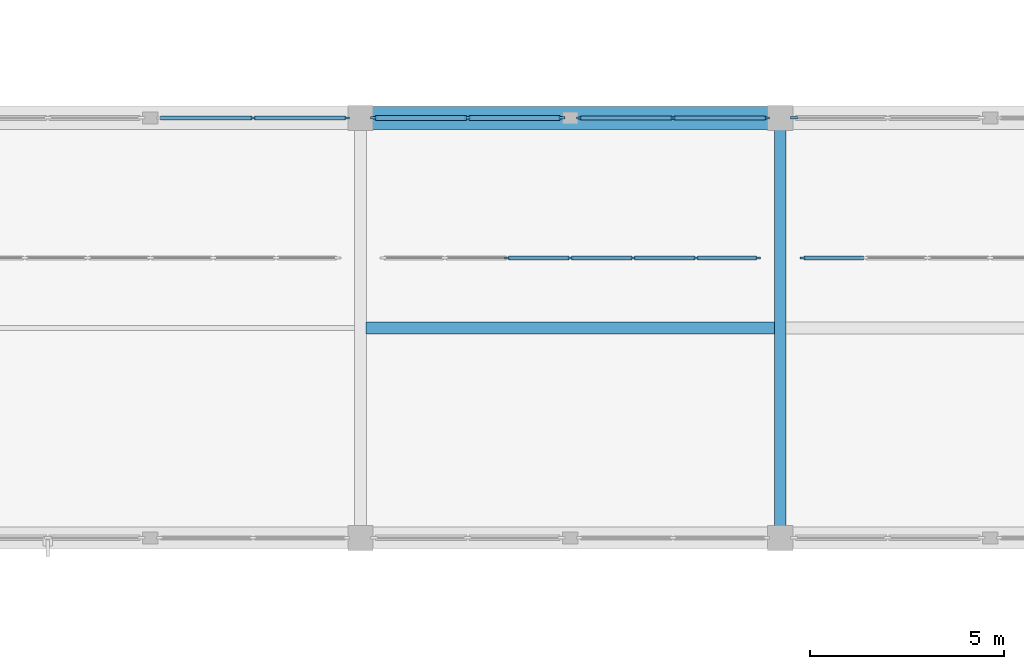
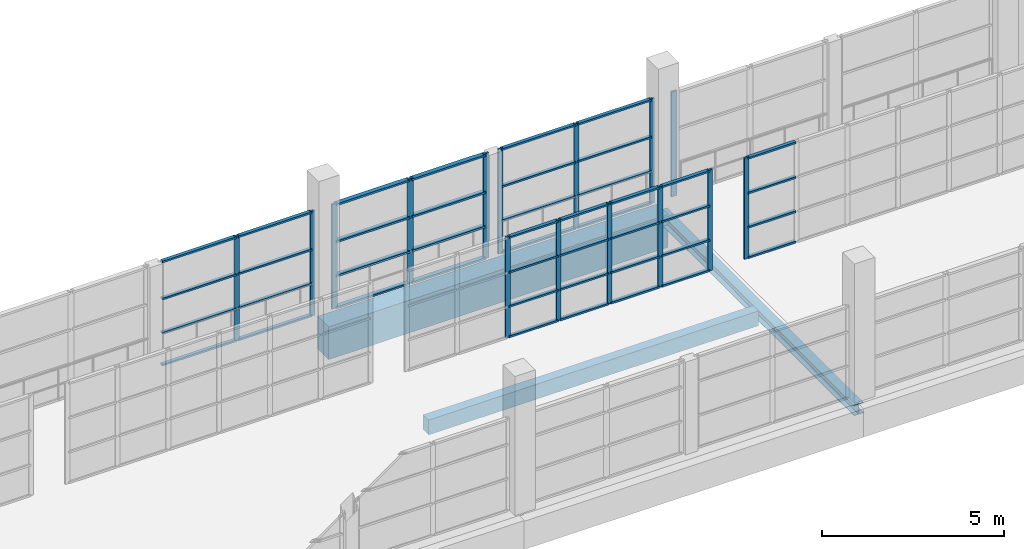
# One storey, part 28 of 142: 59 members, 3 beams, 6 elements without a shape of their own.
"""IFC4 building model written with IfcOpenShell, lengths in metres."""

import ifcopenshell
import ifcopenshell.guid

model = None  # the IFC model being written
_history = None  # IfcOwnerHistory: only IFC2X3 demands one
_inside = {}  # id of a spatial element -> (the spatial element, [elements in it])
_under = {}  # id of a project, library or spatial element -> (it, [spatial elements below it])
_declared = {}  # id of a project -> (the project, [libraries it declares])
_typed = {}  # id of a type object -> (the type object, [elements of that type])
_made_of = {}  # id of a material, layer set ... -> (it, [elements and type objects made of it])


def new_model(schema):
    """Start an empty IFC model of exactly this schema.

    Asked for "IFC4X3", IfcOpenShell would pick the latest addendum, in which some entities
    have other attributes; the version numbers below select the first issue.
    IFC2X3 requires an IfcOwnerHistory on every rooted entity: one is made here for all.
    """
    global model, _history
    if schema == "IFC4X3":
        model = ifcopenshell.file(schema_version=(4, 3, 0, 0))
    else:
        model = ifcopenshell.file(schema=schema)
    _inside.clear()
    _under.clear()
    _declared.clear()
    _typed.clear()
    _made_of.clear()
    _history = None
    if model.schema == "IFC2X3":
        org = make("IfcOrganization", Name="unknown")
        user = make(
            "IfcPersonAndOrganization",
            ThePerson=make("IfcPerson", FamilyName="unknown"),
            TheOrganization=org,
        )
        app = make(
            "IfcApplication",
            ApplicationDeveloper=org,
            Version="unknown",
            ApplicationFullName="unknown",
            ApplicationIdentifier="unknown",
        )
        _history = make(
            "IfcOwnerHistory",
            OwningUser=user,
            OwningApplication=app,
            ChangeAction="ADDED",
            CreationDate=0,
        )
    return model


def make(cls, **values):
    """One entity of the class cls with the attributes given. An attribute that is None is left unset."""
    return model.create_entity(
        cls, **{name: value for name, value in values.items() if value is not None}
    )


def rooted(cls, **values):
    """An entity with a GlobalId (a new one), such as an element, a storey or a relation."""
    return make(cls, GlobalId=ifcopenshell.guid.new(), OwnerHistory=_history, **values)


def si_unit(unit_type, name, prefix=None):
    """IfcSIUnit, for example si_unit("LENGTHUNIT", "METRE", prefix="MILLI")."""
    return make("IfcSIUnit", UnitType=unit_type, Prefix=prefix, Name=name)


def assignment(units):
    """IfcUnitAssignment: the units of a project."""
    return None if units is None else make("IfcUnitAssignment", Units=units)


def point(xyz):
    """IfcCartesianPoint."""
    return None if xyz is None else make("IfcCartesianPoint", Coordinates=xyz)


def direction(xyz):
    """IfcDirection."""
    return None if xyz is None else make("IfcDirection", DirectionRatios=xyz)


def frame(location, z_axis=None, x_axis=None):
    """IfcAxis2Placement3D, a coordinate frame: its origin and axes. An axis left out is left unset."""
    return make(
        "IfcAxis2Placement3D",
        Location=point(location),
        Axis=direction(z_axis),
        RefDirection=direction(x_axis),
    )


def frame_2d(location, x_axis=None):
    """IfcAxis2Placement2D, a coordinate frame in the plane: its origin and x axis."""
    return make(
        "IfcAxis2Placement2D", Location=point(location), RefDirection=direction(x_axis)
    )


def origin():
    """The frame at (0, 0, 0) with its axes left unset."""
    return frame((0.0, 0.0, 0.0))


def origin_2d():
    """The frame at (0, 0) in the plane with its x axis left unset."""
    return frame_2d((0.0, 0.0))


def place(relative_to, where):
    """IfcLocalPlacement: puts the frame where relative to a parent placement (None: the world)."""
    return make(
        "IfcLocalPlacement", PlacementRelTo=relative_to, RelativePlacement=where
    )


def context(
    kind, dimensions, precision=None, world=None, true_north=None, identifier=None
):
    """IfcGeometricRepresentationContext, for example the 3D "Model" context."""
    return make(
        "IfcGeometricRepresentationContext",
        ContextIdentifier=identifier,
        ContextType=kind,
        CoordinateSpaceDimension=dimensions,
        Precision=precision,
        WorldCoordinateSystem=world,
        TrueNorth=true_north,
    )


def subcontext(parent, identifier, kind, view, scale=None):
    """IfcGeometricRepresentationSubContext, for example "Body" below "Model"."""
    return make(
        "IfcGeometricRepresentationSubContext",
        ContextIdentifier=identifier,
        ContextType=kind,
        ParentContext=parent,
        TargetScale=scale,
        TargetView=view,
    )


def project(units=None, contexts=None):
    """IfcProject with its units and contexts."""
    return rooted(
        "IfcProject",
        Name="project",
        RepresentationContexts=contexts,
        UnitsInContext=assignment(units),
    )


def spatial(cls, under=None, at=None, **own):
    """A site, building, storey or space (cls), placed at a placement, below another one or the project."""
    s = rooted(cls, ObjectPlacement=at, **own)
    if under is not None:
        _under.setdefault(under.id(), (under, []))[1].append(s)
    return s


def profile(cls, at=None, kind="AREA", **sizes):
    """A parametric profile (cls). Its sizes go by their IFC names, for example OverallWidth=200.0."""
    return make(cls, ProfileType=kind, Position=at, **sizes)


def rectangle(**sizes):
    """IfcRectangleProfileDef."""
    return profile("IfcRectangleProfileDef", **sizes)


def i_section(**sizes):
    """IfcIShapeProfileDef."""
    return profile("IfcIShapeProfileDef", **sizes)


def extrude(swept, where, along, depth):
    """IfcExtrudedAreaSolid: the profile swept, set in the frame where, extruded along a direction by depth."""
    return make(
        "IfcExtrudedAreaSolid",
        SweptArea=swept,
        Position=where,
        ExtrudedDirection=direction(along),
        Depth=depth,
    )


def shape(context_of_items, identifier, shape_type, items):
    """IfcShapeRepresentation: the items that make up one representation, for example the "Body"."""
    return make(
        "IfcShapeRepresentation",
        ContextOfItems=context_of_items,
        RepresentationIdentifier=identifier,
        RepresentationType=shape_type,
        Items=items,
    )


def material(Name=None, Category=None):
    """IfcMaterial."""
    return make("IfcMaterial", Name=Name, Category=Category)


def material_profile(
    of_material, cross_section, Name=None, Category=None, Priority=None
):
    """IfcMaterialProfile: a cross section and its material."""
    return make(
        "IfcMaterialProfile",
        Name=Name,
        Material=of_material,
        Profile=cross_section,
        Priority=Priority,
        Category=Category,
    )


def profile_set(profiles, Name=None, composite=None):
    """IfcMaterialProfileSet."""
    return make(
        "IfcMaterialProfileSet",
        Name=Name,
        MaterialProfiles=profiles,
        CompositeProfile=composite,
    )


def made_of(thing, what):
    """Note that an element or type object is made of a material, layer set ...; save() writes the relation."""
    if what is not None:
        _made_of.setdefault(what.id(), (what, []))[1].append(thing)
    return thing


def type_object(cls, material=None, **own):
    """A type object (cls), such as IfcWallType, which elements share."""
    return made_of(rooted(cls, **own), material)


def element(
    cls,
    number,
    at=None,
    inside=None,
    cuts=None,
    type_object=None,
    material=None,
    context=None,
    identifier="Body",
    shape_type=None,
    held_by="IfcProductDefinitionShape",
    body=None,
    shapes=None,
    **own,
):
    """One element of the class cls, such as IfcWall. Its Tag is "e" and its number.

    at: its placement. inside: the storey or other place that contains it. cuts: it is an
    opening in that element (IfcRelVoidsElement). A single representation is given by context,
    identifier, shape_type and body (its items); several are given by shapes. held_by: the class
    of the entity that holds the representations. save() writes the other relations.
    """
    e = rooted(cls, Tag="e%d" % number, ObjectPlacement=at, **own)
    if body is not None:
        shapes = [shape(context, identifier, shape_type, body)]
    if shapes is not None:
        e.Representation = make(held_by, Representations=shapes)
    if inside is not None:
        _inside.setdefault(inside.id(), (inside, []))[1].append(e)
    if cuts is not None:
        rooted(
            "IfcRelVoidsElement", RelatingBuildingElement=cuts, RelatedOpeningElement=e
        )
    if type_object is not None:
        _typed.setdefault(type_object.id(), (type_object, []))[1].append(e)
    return made_of(e, material)


def aggregate(whole, parts):
    """IfcRelAggregates: a whole, such as a stair, and the parts it consists of."""
    return rooted("IfcRelAggregates", RelatingObject=whole, RelatedObjects=parts)


def save(model, path):
    """Write the relations noted so far, then the file.

    IfcRelAggregates (storeys below a building ...), IfcRelContainedInSpatialStructure (elements
    in a storey), IfcRelDefinesByType, IfcRelAssociatesMaterial and IfcRelDeclares: one each for
    every whole, place, type object, material and project.
    """
    for whole, parts in _under.values():
        aggregate(whole, parts)
    for where, things in _inside.values():
        rooted(
            "IfcRelContainedInSpatialStructure",
            RelatedElements=things,
            RelatingStructure=where,
        )
    for kind, things in _typed.values():
        rooted("IfcRelDefinesByType", RelatedObjects=things, RelatingType=kind)
    for what, things in _made_of.values():
        rooted("IfcRelAssociatesMaterial", RelatedObjects=things, RelatingMaterial=what)
    for by, libraries in _declared.values():
        rooted("IfcRelDeclares", RelatingContext=by, RelatedDefinitions=libraries)
    model.write(path)


model = new_model("IFC4")

# Units and contexts
model_context = context("Model", 3, precision=1e-05, world=origin(), true_north=direction((0.0, 1.0)))
body_context = subcontext(model_context, "Body", "Model", "MODEL_VIEW")
ifc_project = project(units=[si_unit("LENGTHUNIT", "METRE"), si_unit("AREAUNIT", "SQUARE_METRE"), si_unit("VOLUMEUNIT", "CUBIC_METRE"), si_unit("PLANEANGLEUNIT", "RADIAN"), si_unit("MASSUNIT", "GRAM", prefix="KILO")], contexts=[model_context])

# Site, building, storey
site_placement = place(None, origin())
site = spatial("IfcSite", under=ifc_project, at=site_placement, CompositionType="ELEMENT")
building_placement = place(site_placement, origin())
building = spatial("IfcBuilding", under=site, at=building_placement, Name="Zwinboog Wholesale Market", CompositionType="ELEMENT")
storey_placement = place(building_placement, frame((0.0, 0.0, 5.39990234375)))
storey = spatial("IfcBuildingStorey", under=building, at=storey_placement, Name="L01", CompositionType="ELEMENT", Elevation=5.39990234375)

# Beams
ifc_material_1 = material(Name="Precast concrete C45/55", Category="concrete")
ifc_material_profile_1 = material_profile(ifc_material_1, rectangle(XDim=0.60009765625, YDim=1.10009765625, at=origin_2d()), Name="PC 600x1100")
ifc_profile_set_1 = profile_set([ifc_material_profile_1], Name="Precast concrete C45/55")
beam_type_1 = type_object("IfcBeamType", Name="BT-01", PredefinedType="BEAM", material=ifc_profile_set_1)
beam_1_placement = place(storey_placement, frame((108.0, 54.0, -0.8818359375), z_axis=(1.0, 0.0, 0.0), x_axis=(0.0, 1.0, 0.0)))
element("IfcBeam", 1, at=beam_1_placement, inside=storey, type_object=beam_type_1, Name="BG-01 (BMG-L01-1080-0540-0483)", PredefinedType="BEAM", context=body_context, shape_type="SweptSolid", body=[
    extrude(rectangle(XDim=0.60009765625, YDim=1.10009765625, at=origin_2d()), origin(), (0.0, 0.0, 1.0), 10.800048828125),
])
ifc_material_profile_2 = material_profile(ifc_material_1, rectangle(XDim=0.300048828125, YDim=0.5, at=origin_2d()), Name="PC 300x500")
ifc_profile_set_2 = profile_set([ifc_material_profile_2], Name="Precast concrete C45/55")
beam_type_2 = type_object("IfcBeamType", Name="BT-10", PredefinedType="JOIST", material=ifc_profile_set_2)
beam_2_placement = place(storey_placement, frame((108.14990234375, 48.60009765625, -0.581787109375), z_axis=(1.0, 0.0, 0.0), x_axis=(0.0, 1.0, 0.0)))
element("IfcBeam", 2, at=beam_2_placement, inside=storey, type_object=beam_type_2, Name="BJ-01 (BMG-L01-1082-0486-0830)", PredefinedType="JOIST", context=body_context, shape_type="SweptSolid", body=[
    extrude(rectangle(XDim=0.300048828125, YDim=0.5, at=origin_2d()), origin(), (0.0, 0.0, 1.0), 10.5),
])
ifc_material_2 = material(Name="Steel S355", Category="steel")
ifc_material_profile_3 = material_profile(ifc_material_2, i_section(OverallWidth=0.300048828125, OverallDepth=0.35009765625, WebThickness=0.010009765625, FlangeThickness=0.017578125, FilletRadius=0.027099609375, at=origin_2d()), Name="HEA 360")
ifc_profile_set_3 = profile_set([ifc_material_profile_3], Name="Steel S355")
beam_type_3 = type_object("IfcBeamType", Name="BT-17", PredefinedType="BEAM", material=ifc_profile_set_3)
beam_3_placement = place(storey_placement, frame((118.800048828125, 43.199951171875, -0.5068359375), z_axis=(0.0, 1.0, 0.0), x_axis=(-1.0, 0.0, 0.0)))
element("IfcBeam", 3, at=beam_3_placement, inside=storey, type_object=beam_type_3, Name="SB-04 (BMG-L01-1188-0432-0698)", PredefinedType="BEAM", context=body_context, shape_type="SweptSolid", body=[
    extrude(i_section(OverallWidth=0.300048828125, OverallDepth=0.35009765625, WebThickness=0.010009765625, FlangeThickness=0.017578125, FilletRadius=0.027099609375, at=origin_2d()), origin(), (0.0, 0.0, 1.0), 10.800048828125),
])

# Curtain wall, members
ifc_material_3 = material(Name="Aluminium thermally broken curtain wall", Category="aluminium")
curtain_wall_type_1 = type_object("IfcCurtainWallType", Name="CWT-HALL-24", PredefinedType="USERDEFINED", material=ifc_material_3)
curtain_wall_1_placement = place(storey_placement, origin())
curtain_wall_1 = element("IfcCurtainWall", 4, at=curtain_wall_1_placement, inside=storey, type_object=curtain_wall_type_1, Name="CW-03 (CW-L01-105)", ObjectType="UNITIZED_CURTAIN_WALL", PredefinedType="USERDEFINED")
ifc_material_4 = material(Name="Aluminium EN AW-6060", Category="aluminium")
ifc_material_profile_4 = material_profile(ifc_material_4, rectangle(XDim=0.06494140625, YDim=0.179931640625, at=origin_2d()), Name="AL 65x180")
ifc_profile_set_4 = profile_set([ifc_material_profile_4], Name="Aluminium EN AW-6060")
member_type_1 = type_object("IfcMemberType", Name="CWM-65x180", PredefinedType="MULLION", material=ifc_profile_set_4)
member_1_placement = place(storey_placement, frame((108.3525390625, 54.0, 0.0), z_axis=(0.0, 0.0, 1.0), x_axis=(0.0, 1.0, 0.0)))
member_1 = element("IfcMember", 5, at=member_1_placement, type_object=member_type_1, Name="CW-03 mullion 1", PredefinedType="MULLION", context=body_context, shape_type="SweptSolid", body=[
    extrude(rectangle(XDim=0.06494140625, YDim=0.179931640625, at=origin_2d()), origin(), (0.0, 0.0, 1.0), 3.530029296875),
])
member_2_placement = place(storey_placement, frame((110.760009765625, 54.0, 0.0), z_axis=(0.0, 0.0, 1.0), x_axis=(0.0, 1.0, 0.0)))
member_2 = element("IfcMember", 6, at=member_2_placement, type_object=member_type_1, Name="CW-03 mullion 2", PredefinedType="MULLION", context=body_context, shape_type="SweptSolid", body=[
    extrude(rectangle(XDim=0.06494140625, YDim=0.179931640625, at=origin_2d()), origin(), (0.0, 0.0, 1.0), 3.530029296875),
])
member_3_placement = place(storey_placement, frame((113.16748046875, 54.0, 0.0), z_axis=(0.0, 0.0, 1.0), x_axis=(0.0, 1.0, 0.0)))
member_3 = element("IfcMember", 7, at=member_3_placement, type_object=member_type_1, Name="CW-03 mullion 3", PredefinedType="MULLION", context=body_context, shape_type="SweptSolid", body=[
    extrude(rectangle(XDim=0.06494140625, YDim=0.179931640625, at=origin_2d()), origin(), (0.0, 0.0, 1.0), 3.530029296875),
])

# Curtain wall, member
curtain_wall_2_placement = place(storey_placement, origin())
curtain_wall_2 = element("IfcCurtainWall", 8, at=curtain_wall_2_placement, inside=storey, type_object=curtain_wall_type_1, Name="CW-03 (CW-L01-111)", ObjectType="UNITIZED_CURTAIN_WALL", PredefinedType="USERDEFINED")
member_4_placement = place(storey_placement, frame((119.152587890625, 54.0, 0.0), z_axis=(0.0, 0.0, 1.0), x_axis=(0.0, 1.0, 0.0)))
member_4 = element("IfcMember", 9, at=member_4_placement, type_object=member_type_1, Name="CW-03 mullion 1", PredefinedType="MULLION", context=body_context, shape_type="SweptSolid", body=[
    extrude(rectangle(XDim=0.06494140625, YDim=0.179931640625, at=origin_2d()), origin(), (0.0, 0.0, 1.0), 3.530029296875),
])
aggregate(curtain_wall_2, [member_4])

# Curtain wall, members
curtain_wall_type_2 = type_object("IfcCurtainWallType", Name="CWT-OFF-15", PredefinedType="USERDEFINED", material=ifc_material_3)
curtain_wall_3_placement = place(storey_placement, origin())
curtain_wall_3 = element("IfcCurtainWall", 10, at=curtain_wall_3_placement, inside=storey, type_object=curtain_wall_type_2, Name="CW-06 (CW-L01-102)", ObjectType="UNITIZED_CURTAIN_WALL", PredefinedType="USERDEFINED")
ifc_material_profile_5 = material_profile(ifc_material_4, rectangle(XDim=0.06005859375, YDim=0.14990234375, at=origin_2d()), Name="AL 60x150")
ifc_profile_set_5 = profile_set([ifc_material_profile_5], Name="Aluminium EN AW-6060")
member_type_2 = type_object("IfcMemberType", Name="CWM-60x150", PredefinedType="MULLION", material=ifc_profile_set_5)
member_5_placement = place(storey_placement, frame((105.239990234375, 54.0, 0.0), z_axis=(0.0, 0.0, 1.0), x_axis=(0.0, 1.0, 0.0)))
member_5 = element("IfcMember", 11, at=member_5_placement, type_object=member_type_2, Name="CW-06 mullion 2", PredefinedType="MULLION", context=body_context, shape_type="SweptSolid", body=[
    extrude(rectangle(XDim=0.06005859375, YDim=0.14990234375, at=origin_2d()), origin(), (0.0, 0.0, 1.0), 3.530029296875),
])
member_6_placement = place(storey_placement, frame((107.64990234375, 54.0, 0.0), z_axis=(0.0, 0.0, 1.0), x_axis=(0.0, 1.0, 0.0)))
member_6 = element("IfcMember", 12, at=member_6_placement, type_object=member_type_2, Name="CW-06 mullion 3", PredefinedType="MULLION", context=body_context, shape_type="SweptSolid", body=[
    extrude(rectangle(XDim=0.06005859375, YDim=0.14990234375, at=origin_2d()), origin(), (0.0, 0.0, 1.0), 3.530029296875),
])

curtain_wall_type_3 = type_object("IfcCurtainWallType", Name="CWT-GAL-16", PredefinedType="USERDEFINED", material=ifc_material_3)
curtain_wall_4_placement = place(storey_placement, origin())
curtain_wall_4 = element("IfcCurtainWall", 13, at=curtain_wall_4_placement, inside=storey, type_object=curtain_wall_type_3, Name="CW-04 (CW-L01-106)", ObjectType="UNITIZED_CURTAIN_WALL", PredefinedType="USERDEFINED")
member_7_placement = place(storey_placement, frame((113.6298828125, 54.0, 0.0), z_axis=(0.0, 0.0, 1.0), x_axis=(0.0, 1.0, 0.0)))
member_7 = element("IfcMember", 14, at=member_7_placement, type_object=member_type_2, Name="CW-04 mullion 1", PredefinedType="MULLION", context=body_context, shape_type="SweptSolid", body=[
    extrude(rectangle(XDim=0.06005859375, YDim=0.14990234375, at=origin_2d()), origin(), (0.0, 0.0, 1.0), 3.530029296875),
])
member_8_placement = place(storey_placement, frame((116.0400390625, 54.0, 0.0), z_axis=(0.0, 0.0, 1.0), x_axis=(0.0, 1.0, 0.0)))
member_8 = element("IfcMember", 15, at=member_8_placement, type_object=member_type_2, Name="CW-04 mullion 2", PredefinedType="MULLION", context=body_context, shape_type="SweptSolid", body=[
    extrude(rectangle(XDim=0.06005859375, YDim=0.14990234375, at=origin_2d()), origin(), (0.0, 0.0, 1.0), 3.530029296875),
])
member_9_placement = place(storey_placement, frame((118.449951171875, 54.0, 0.0), z_axis=(0.0, 0.0, 1.0), x_axis=(0.0, 1.0, 0.0)))
member_9 = element("IfcMember", 16, at=member_9_placement, type_object=member_type_2, Name="CW-04 mullion 3", PredefinedType="MULLION", context=body_context, shape_type="SweptSolid", body=[
    extrude(rectangle(XDim=0.06005859375, YDim=0.14990234375, at=origin_2d()), origin(), (0.0, 0.0, 1.0), 3.530029296875),
])

# Member
ifc_material_profile_6 = material_profile(ifc_material_4, rectangle(XDim=0.139892578125, YDim=0.06494140625, at=origin_2d()), Name="AL 65x140")
ifc_profile_set_6 = profile_set([ifc_material_profile_6], Name="Aluminium EN AW-6060")
member_type_3 = type_object("IfcMemberType", Name="CWT-65x140", PredefinedType="USERDEFINED", material=ifc_profile_set_6)
member_10_placement = place(storey_placement, frame((108.385009765625, 54.0, 0.03271484375), z_axis=(1.0, 0.0, 0.0), x_axis=(0.0, 1.0, 0.0)))
member_10 = element("IfcMember", 17, at=member_10_placement, type_object=member_type_3, Name="CW-03 transom 1.1", ObjectType="TRANSOM", PredefinedType="USERDEFINED", context=body_context, shape_type="SweptSolid", body=[
    extrude(rectangle(XDim=0.139892578125, YDim=0.06494140625, at=origin_2d()), origin(), (0.0, 0.0, 1.0), 2.342529296875),
])

member_11_placement = place(storey_placement, frame((108.385009765625, 54.0, 1.10009765625), z_axis=(1.0, 0.0, 0.0), x_axis=(0.0, 1.0, 0.0)))
member_11 = element("IfcMember", 18, at=member_11_placement, type_object=member_type_3, Name="CW-03 transom 1.2", ObjectType="TRANSOM", PredefinedType="USERDEFINED", context=body_context, shape_type="SweptSolid", body=[
    extrude(rectangle(XDim=0.139892578125, YDim=0.06494140625, at=origin_2d()), origin(), (0.0, 0.0, 1.0), 2.342529296875),
])

member_12_placement = place(storey_placement, frame((108.385009765625, 54.0, 2.25), z_axis=(1.0, 0.0, 0.0), x_axis=(0.0, 1.0, 0.0)))
member_12 = element("IfcMember", 19, at=member_12_placement, type_object=member_type_3, Name="CW-03 transom 1.3", ObjectType="TRANSOM", PredefinedType="USERDEFINED", context=body_context, shape_type="SweptSolid", body=[
    extrude(rectangle(XDim=0.139892578125, YDim=0.06494140625, at=origin_2d()), origin(), (0.0, 0.0, 1.0), 2.342529296875),
])

member_13_placement = place(storey_placement, frame((108.385009765625, 54.0, 3.49755859375), z_axis=(1.0, 0.0, 0.0), x_axis=(0.0, 1.0, 0.0)))
member_13 = element("IfcMember", 20, at=member_13_placement, type_object=member_type_3, Name="CW-03 transom 1.4", ObjectType="TRANSOM", PredefinedType="USERDEFINED", context=body_context, shape_type="SweptSolid", body=[
    extrude(rectangle(XDim=0.139892578125, YDim=0.06494140625, at=origin_2d()), origin(), (0.0, 0.0, 1.0), 2.342529296875),
])

member_14_placement = place(storey_placement, frame((110.79248046875, 54.0, 0.03271484375), z_axis=(1.0, 0.0, 0.0), x_axis=(0.0, 1.0, 0.0)))
member_14 = element("IfcMember", 21, at=member_14_placement, type_object=member_type_3, Name="CW-03 transom 2.1", ObjectType="TRANSOM", PredefinedType="USERDEFINED", context=body_context, shape_type="SweptSolid", body=[
    extrude(rectangle(XDim=0.139892578125, YDim=0.06494140625, at=origin_2d()), origin(), (0.0, 0.0, 1.0), 2.342529296875),
])

member_15_placement = place(storey_placement, frame((110.79248046875, 54.0, 1.10009765625), z_axis=(1.0, 0.0, 0.0), x_axis=(0.0, 1.0, 0.0)))
member_15 = element("IfcMember", 22, at=member_15_placement, type_object=member_type_3, Name="CW-03 transom 2.2", ObjectType="TRANSOM", PredefinedType="USERDEFINED", context=body_context, shape_type="SweptSolid", body=[
    extrude(rectangle(XDim=0.139892578125, YDim=0.06494140625, at=origin_2d()), origin(), (0.0, 0.0, 1.0), 2.342529296875),
])

member_16_placement = place(storey_placement, frame((110.79248046875, 54.0, 2.25), z_axis=(1.0, 0.0, 0.0), x_axis=(0.0, 1.0, 0.0)))
member_16 = element("IfcMember", 23, at=member_16_placement, type_object=member_type_3, Name="CW-03 transom 2.3", ObjectType="TRANSOM", PredefinedType="USERDEFINED", context=body_context, shape_type="SweptSolid", body=[
    extrude(rectangle(XDim=0.139892578125, YDim=0.06494140625, at=origin_2d()), origin(), (0.0, 0.0, 1.0), 2.342529296875),
])

member_17_placement = place(storey_placement, frame((110.79248046875, 54.0, 3.49755859375), z_axis=(1.0, 0.0, 0.0), x_axis=(0.0, 1.0, 0.0)))
member_17 = element("IfcMember", 24, at=member_17_placement, type_object=member_type_3, Name="CW-03 transom 2.4", ObjectType="TRANSOM", PredefinedType="USERDEFINED", context=body_context, shape_type="SweptSolid", body=[
    extrude(rectangle(XDim=0.139892578125, YDim=0.06494140625, at=origin_2d()), origin(), (0.0, 0.0, 1.0), 2.342529296875),
])

aggregate(curtain_wall_1, [member_1, member_2, member_3, member_10, member_11, member_12, member_13, member_14, member_15, member_16, member_17])

ifc_material_profile_7 = material_profile(ifc_material_4, rectangle(XDim=0.110107421875, YDim=0.06005859375, at=origin_2d()), Name="AL 60x110")
ifc_profile_set_7 = profile_set([ifc_material_profile_7], Name="Aluminium EN AW-6060")
member_type_4 = type_object("IfcMemberType", Name="CWT-60x110", PredefinedType="USERDEFINED", material=ifc_profile_set_7)
member_18_placement = place(storey_placement, frame((102.860107421875, 54.0, 0.030029296875), z_axis=(1.0, 0.0, 0.0), x_axis=(0.0, 1.0, 0.0)))
member_18 = element("IfcMember", 25, at=member_18_placement, type_object=member_type_4, Name="CW-06 transom 1.1", ObjectType="TRANSOM", PredefinedType="USERDEFINED", context=body_context, shape_type="SweptSolid", body=[
    extrude(rectangle(XDim=0.110107421875, YDim=0.06005859375, at=origin_2d()), origin(), (0.0, 0.0, 1.0), 2.349853515625),
])

member_19_placement = place(storey_placement, frame((102.860107421875, 54.0, 1.10009765625), z_axis=(1.0, 0.0, 0.0), x_axis=(0.0, 1.0, 0.0)))
member_19 = element("IfcMember", 26, at=member_19_placement, type_object=member_type_4, Name="CW-06 transom 1.2", ObjectType="TRANSOM", PredefinedType="USERDEFINED", context=body_context, shape_type="SweptSolid", body=[
    extrude(rectangle(XDim=0.110107421875, YDim=0.06005859375, at=origin_2d()), origin(), (0.0, 0.0, 1.0), 2.349853515625),
])

member_20_placement = place(storey_placement, frame((102.860107421875, 54.0, 2.25), z_axis=(1.0, 0.0, 0.0), x_axis=(0.0, 1.0, 0.0)))
member_20 = element("IfcMember", 27, at=member_20_placement, type_object=member_type_4, Name="CW-06 transom 1.3", ObjectType="TRANSOM", PredefinedType="USERDEFINED", context=body_context, shape_type="SweptSolid", body=[
    extrude(rectangle(XDim=0.110107421875, YDim=0.06005859375, at=origin_2d()), origin(), (0.0, 0.0, 1.0), 2.349853515625),
])

member_21_placement = place(storey_placement, frame((102.860107421875, 54.0, 3.5), z_axis=(1.0, 0.0, 0.0), x_axis=(0.0, 1.0, 0.0)))
member_21 = element("IfcMember", 28, at=member_21_placement, type_object=member_type_4, Name="CW-06 transom 1.4", ObjectType="TRANSOM", PredefinedType="USERDEFINED", context=body_context, shape_type="SweptSolid", body=[
    extrude(rectangle(XDim=0.110107421875, YDim=0.06005859375, at=origin_2d()), origin(), (0.0, 0.0, 1.0), 2.349853515625),
])

member_22_placement = place(storey_placement, frame((105.27001953125, 54.0, 0.030029296875), z_axis=(1.0, 0.0, 0.0), x_axis=(0.0, 1.0, 0.0)))
member_22 = element("IfcMember", 29, at=member_22_placement, type_object=member_type_4, Name="CW-06 transom 2.1", ObjectType="TRANSOM", PredefinedType="USERDEFINED", context=body_context, shape_type="SweptSolid", body=[
    extrude(rectangle(XDim=0.110107421875, YDim=0.06005859375, at=origin_2d()), origin(), (0.0, 0.0, 1.0), 2.35009765625),
])

member_23_placement = place(storey_placement, frame((105.27001953125, 54.0, 1.10009765625), z_axis=(1.0, 0.0, 0.0), x_axis=(0.0, 1.0, 0.0)))
member_23 = element("IfcMember", 30, at=member_23_placement, type_object=member_type_4, Name="CW-06 transom 2.2", ObjectType="TRANSOM", PredefinedType="USERDEFINED", context=body_context, shape_type="SweptSolid", body=[
    extrude(rectangle(XDim=0.110107421875, YDim=0.06005859375, at=origin_2d()), origin(), (0.0, 0.0, 1.0), 2.35009765625),
])

member_24_placement = place(storey_placement, frame((105.27001953125, 54.0, 2.25), z_axis=(1.0, 0.0, 0.0), x_axis=(0.0, 1.0, 0.0)))
member_24 = element("IfcMember", 31, at=member_24_placement, type_object=member_type_4, Name="CW-06 transom 2.3", ObjectType="TRANSOM", PredefinedType="USERDEFINED", context=body_context, shape_type="SweptSolid", body=[
    extrude(rectangle(XDim=0.110107421875, YDim=0.06005859375, at=origin_2d()), origin(), (0.0, 0.0, 1.0), 2.35009765625),
])

member_25_placement = place(storey_placement, frame((105.27001953125, 54.0, 3.5), z_axis=(1.0, 0.0, 0.0), x_axis=(0.0, 1.0, 0.0)))
member_25 = element("IfcMember", 32, at=member_25_placement, type_object=member_type_4, Name="CW-06 transom 2.4", ObjectType="TRANSOM", PredefinedType="USERDEFINED", context=body_context, shape_type="SweptSolid", body=[
    extrude(rectangle(XDim=0.110107421875, YDim=0.06005859375, at=origin_2d()), origin(), (0.0, 0.0, 1.0), 2.35009765625),
])

aggregate(curtain_wall_3, [member_5, member_6, member_18, member_19, member_20, member_21, member_22, member_23, member_24, member_25])

member_26_placement = place(storey_placement, frame((113.659912109375, 54.0, 0.030029296875), z_axis=(1.0, 0.0, 0.0), x_axis=(0.0, 1.0, 0.0)))
member_26 = element("IfcMember", 33, at=member_26_placement, type_object=member_type_4, Name="CW-04 transom 1.1", ObjectType="TRANSOM", PredefinedType="USERDEFINED", context=body_context, shape_type="SweptSolid", body=[
    extrude(rectangle(XDim=0.110107421875, YDim=0.06005859375, at=origin_2d()), origin(), (0.0, 0.0, 1.0), 2.35009765625),
])

member_27_placement = place(storey_placement, frame((113.659912109375, 54.0, 1.10009765625), z_axis=(1.0, 0.0, 0.0), x_axis=(0.0, 1.0, 0.0)))
member_27 = element("IfcMember", 34, at=member_27_placement, type_object=member_type_4, Name="CW-04 transom 1.2", ObjectType="TRANSOM", PredefinedType="USERDEFINED", context=body_context, shape_type="SweptSolid", body=[
    extrude(rectangle(XDim=0.110107421875, YDim=0.06005859375, at=origin_2d()), origin(), (0.0, 0.0, 1.0), 2.35009765625),
])

member_28_placement = place(storey_placement, frame((113.659912109375, 54.0, 2.25), z_axis=(1.0, 0.0, 0.0), x_axis=(0.0, 1.0, 0.0)))
member_28 = element("IfcMember", 35, at=member_28_placement, type_object=member_type_4, Name="CW-04 transom 1.3", ObjectType="TRANSOM", PredefinedType="USERDEFINED", context=body_context, shape_type="SweptSolid", body=[
    extrude(rectangle(XDim=0.110107421875, YDim=0.06005859375, at=origin_2d()), origin(), (0.0, 0.0, 1.0), 2.35009765625),
])

member_29_placement = place(storey_placement, frame((113.659912109375, 54.0, 3.5), z_axis=(1.0, 0.0, 0.0), x_axis=(0.0, 1.0, 0.0)))
member_29 = element("IfcMember", 36, at=member_29_placement, type_object=member_type_4, Name="CW-04 transom 1.4", ObjectType="TRANSOM", PredefinedType="USERDEFINED", context=body_context, shape_type="SweptSolid", body=[
    extrude(rectangle(XDim=0.110107421875, YDim=0.06005859375, at=origin_2d()), origin(), (0.0, 0.0, 1.0), 2.35009765625),
])

member_30_placement = place(storey_placement, frame((116.070068359375, 54.0, 0.030029296875), z_axis=(1.0, 0.0, 0.0), x_axis=(0.0, 1.0, 0.0)))
member_30 = element("IfcMember", 37, at=member_30_placement, type_object=member_type_4, Name="CW-04 transom 2.1", ObjectType="TRANSOM", PredefinedType="USERDEFINED", context=body_context, shape_type="SweptSolid", body=[
    extrude(rectangle(XDim=0.110107421875, YDim=0.06005859375, at=origin_2d()), origin(), (0.0, 0.0, 1.0), 2.349853515625),
])

member_31_placement = place(storey_placement, frame((116.070068359375, 54.0, 1.10009765625), z_axis=(1.0, 0.0, 0.0), x_axis=(0.0, 1.0, 0.0)))
member_31 = element("IfcMember", 38, at=member_31_placement, type_object=member_type_4, Name="CW-04 transom 2.2", ObjectType="TRANSOM", PredefinedType="USERDEFINED", context=body_context, shape_type="SweptSolid", body=[
    extrude(rectangle(XDim=0.110107421875, YDim=0.06005859375, at=origin_2d()), origin(), (0.0, 0.0, 1.0), 2.349853515625),
])

member_32_placement = place(storey_placement, frame((116.070068359375, 54.0, 2.25), z_axis=(1.0, 0.0, 0.0), x_axis=(0.0, 1.0, 0.0)))
member_32 = element("IfcMember", 39, at=member_32_placement, type_object=member_type_4, Name="CW-04 transom 2.3", ObjectType="TRANSOM", PredefinedType="USERDEFINED", context=body_context, shape_type="SweptSolid", body=[
    extrude(rectangle(XDim=0.110107421875, YDim=0.06005859375, at=origin_2d()), origin(), (0.0, 0.0, 1.0), 2.349853515625),
])

member_33_placement = place(storey_placement, frame((116.070068359375, 54.0, 3.5), z_axis=(1.0, 0.0, 0.0), x_axis=(0.0, 1.0, 0.0)))
member_33 = element("IfcMember", 40, at=member_33_placement, type_object=member_type_4, Name="CW-04 transom 2.4", ObjectType="TRANSOM", PredefinedType="USERDEFINED", context=body_context, shape_type="SweptSolid", body=[
    extrude(rectangle(XDim=0.110107421875, YDim=0.06005859375, at=origin_2d()), origin(), (0.0, 0.0, 1.0), 2.349853515625),
])

aggregate(curtain_wall_4, [member_7, member_8, member_9, member_26, member_27, member_28, member_29, member_30, member_31, member_32, member_33])

# Curtain wall, members
curtain_wall_type_4 = type_object("IfcCurtainWallType", Name="CWT-INT-STALL", PredefinedType="USERDEFINED", material=ifc_material_3)
curtain_wall_5_placement = place(storey_placement, origin())
curtain_wall_5 = element("IfcCurtainWall", 41, at=curtain_wall_5_placement, inside=storey, type_object=curtain_wall_type_4, Name="CW-07 (CW-STL-229)", ObjectType="STOREFRONT_GLAZING", PredefinedType="USERDEFINED")
ifc_material_profile_8 = material_profile(ifc_material_4, rectangle(XDim=0.06005859375, YDim=0.14990234375, at=origin_2d()), Name="AL 60x150")
ifc_profile_set_8 = profile_set([ifc_material_profile_8], Name="Aluminium EN AW-6060")
member_type_5 = type_object("IfcMemberType", Name="CWM-INT-60x120", PredefinedType="MULLION", material=ifc_profile_set_8)
member_34_placement = place(storey_placement, frame((111.783447265625, 50.39990234375, 0.0), z_axis=(0.0, 0.0, 1.0), x_axis=(0.0, 1.0, 0.0)))
member_34 = element("IfcMember", 42, at=member_34_placement, type_object=member_type_5, Name="CW-07 mullion 3", PredefinedType="MULLION", context=body_context, shape_type="SweptSolid", body=[
    extrude(rectangle(XDim=0.06005859375, YDim=0.14990234375, at=origin_2d()), origin(), (0.0, 0.0, 1.0), 3.400146484375),
])
member_35_placement = place(storey_placement, frame((113.39990234375, 50.39990234375, 0.0), z_axis=(0.0, 0.0, 1.0), x_axis=(0.0, 1.0, 0.0)))
member_35 = element("IfcMember", 43, at=member_35_placement, type_object=member_type_5, Name="CW-07 mullion 4", PredefinedType="MULLION", context=body_context, shape_type="SweptSolid", body=[
    extrude(rectangle(XDim=0.06005859375, YDim=0.14990234375, at=origin_2d()), origin(), (0.0, 0.0, 1.0), 3.400146484375),
])
member_36_placement = place(storey_placement, frame((115.0166015625, 50.39990234375, 0.0), z_axis=(0.0, 0.0, 1.0), x_axis=(0.0, 1.0, 0.0)))
member_36 = element("IfcMember", 44, at=member_36_placement, type_object=member_type_5, Name="CW-07 mullion 5", PredefinedType="MULLION", context=body_context, shape_type="SweptSolid", body=[
    extrude(rectangle(XDim=0.06005859375, YDim=0.14990234375, at=origin_2d()), origin(), (0.0, 0.0, 1.0), 3.400146484375),
])
member_37_placement = place(storey_placement, frame((116.63330078125, 50.39990234375, 0.0), z_axis=(0.0, 0.0, 1.0), x_axis=(0.0, 1.0, 0.0)))
member_37 = element("IfcMember", 45, at=member_37_placement, type_object=member_type_5, Name="CW-07 mullion 6", PredefinedType="MULLION", context=body_context, shape_type="SweptSolid", body=[
    extrude(rectangle(XDim=0.06005859375, YDim=0.14990234375, at=origin_2d()), origin(), (0.0, 0.0, 1.0), 3.400146484375),
])
member_38_placement = place(storey_placement, frame((118.219970703125, 50.39990234375, 0.0), z_axis=(0.0, 0.0, 1.0), x_axis=(0.0, 1.0, 0.0)))
member_38 = element("IfcMember", 46, at=member_38_placement, type_object=member_type_5, Name="CW-07 mullion 7", PredefinedType="MULLION", context=body_context, shape_type="SweptSolid", body=[
    extrude(rectangle(XDim=0.06005859375, YDim=0.14990234375, at=origin_2d()), origin(), (0.0, 0.0, 1.0), 3.400146484375),
])

# Curtain wall, member
curtain_wall_6_placement = place(storey_placement, origin())
curtain_wall_6 = element("IfcCurtainWall", 47, at=curtain_wall_6_placement, inside=storey, type_object=curtain_wall_type_4, Name="CW-07 (CW-STL-230)", ObjectType="STOREFRONT_GLAZING", PredefinedType="USERDEFINED")
member_39_placement = place(storey_placement, frame((119.3798828125, 50.39990234375, 0.0), z_axis=(0.0, 0.0, 1.0), x_axis=(0.0, 1.0, 0.0)))
member_39 = element("IfcMember", 48, at=member_39_placement, type_object=member_type_5, Name="CW-07 mullion 1", PredefinedType="MULLION", context=body_context, shape_type="SweptSolid", body=[
    extrude(rectangle(XDim=0.06005859375, YDim=0.14990234375, at=origin_2d()), origin(), (0.0, 0.0, 1.0), 3.400146484375),
])

# Member
ifc_material_profile_9 = material_profile(ifc_material_4, rectangle(XDim=0.110107421875, YDim=0.06005859375, at=origin_2d()), Name="AL 60x110")
ifc_profile_set_9 = profile_set([ifc_material_profile_9], Name="Aluminium EN AW-6060")
member_type_6 = type_object("IfcMemberType", Name="CWT-INT-60x100", PredefinedType="USERDEFINED", material=ifc_profile_set_9)
member_40_placement = place(storey_placement, frame((111.813232421875, 50.39990234375, 0.030029296875), z_axis=(1.0, 0.0, 0.0), x_axis=(0.0, 1.0, 0.0)))
member_40 = element("IfcMember", 49, at=member_40_placement, type_object=member_type_6, Name="CW-07 transom 3.1", ObjectType="TRANSOM", PredefinedType="USERDEFINED", context=body_context, shape_type="SweptSolid", body=[
    extrude(rectangle(XDim=0.110107421875, YDim=0.06005859375, at=origin_2d()), origin(), (0.0, 0.0, 1.0), 1.556884765625),
])

member_41_placement = place(storey_placement, frame((111.813232421875, 50.39990234375, 1.050048828125), z_axis=(1.0, 0.0, 0.0), x_axis=(0.0, 1.0, 0.0)))
member_41 = element("IfcMember", 50, at=member_41_placement, type_object=member_type_6, Name="CW-07 transom 3.2", ObjectType="TRANSOM", PredefinedType="USERDEFINED", context=body_context, shape_type="SweptSolid", body=[
    extrude(rectangle(XDim=0.110107421875, YDim=0.06005859375, at=origin_2d()), origin(), (0.0, 0.0, 1.0), 1.556884765625),
])

member_42_placement = place(storey_placement, frame((111.813232421875, 50.39990234375, 2.2001953125), z_axis=(1.0, 0.0, 0.0), x_axis=(0.0, 1.0, 0.0)))
member_42 = element("IfcMember", 51, at=member_42_placement, type_object=member_type_6, Name="CW-07 transom 3.3", ObjectType="TRANSOM", PredefinedType="USERDEFINED", context=body_context, shape_type="SweptSolid", body=[
    extrude(rectangle(XDim=0.110107421875, YDim=0.06005859375, at=origin_2d()), origin(), (0.0, 0.0, 1.0), 1.556884765625),
])

member_43_placement = place(storey_placement, frame((111.813232421875, 50.39990234375, 3.3701171875), z_axis=(1.0, 0.0, 0.0), x_axis=(0.0, 1.0, 0.0)))
member_43 = element("IfcMember", 52, at=member_43_placement, type_object=member_type_6, Name="CW-07 transom 3.4", ObjectType="TRANSOM", PredefinedType="USERDEFINED", context=body_context, shape_type="SweptSolid", body=[
    extrude(rectangle(XDim=0.110107421875, YDim=0.06005859375, at=origin_2d()), origin(), (0.0, 0.0, 1.0), 1.556884765625),
])

member_44_placement = place(storey_placement, frame((113.429931640625, 50.39990234375, 0.030029296875), z_axis=(1.0, 0.0, 0.0), x_axis=(0.0, 1.0, 0.0)))
member_44 = element("IfcMember", 53, at=member_44_placement, type_object=member_type_6, Name="CW-07 transom 4.1", ObjectType="TRANSOM", PredefinedType="USERDEFINED", context=body_context, shape_type="SweptSolid", body=[
    extrude(rectangle(XDim=0.110107421875, YDim=0.06005859375, at=origin_2d()), origin(), (0.0, 0.0, 1.0), 1.556640625),
])

member_45_placement = place(storey_placement, frame((113.429931640625, 50.39990234375, 1.050048828125), z_axis=(1.0, 0.0, 0.0), x_axis=(0.0, 1.0, 0.0)))
member_45 = element("IfcMember", 54, at=member_45_placement, type_object=member_type_6, Name="CW-07 transom 4.2", ObjectType="TRANSOM", PredefinedType="USERDEFINED", context=body_context, shape_type="SweptSolid", body=[
    extrude(rectangle(XDim=0.110107421875, YDim=0.06005859375, at=origin_2d()), origin(), (0.0, 0.0, 1.0), 1.556640625),
])

member_46_placement = place(storey_placement, frame((113.429931640625, 50.39990234375, 2.2001953125), z_axis=(1.0, 0.0, 0.0), x_axis=(0.0, 1.0, 0.0)))
member_46 = element("IfcMember", 55, at=member_46_placement, type_object=member_type_6, Name="CW-07 transom 4.3", ObjectType="TRANSOM", PredefinedType="USERDEFINED", context=body_context, shape_type="SweptSolid", body=[
    extrude(rectangle(XDim=0.110107421875, YDim=0.06005859375, at=origin_2d()), origin(), (0.0, 0.0, 1.0), 1.556640625),
])

member_47_placement = place(storey_placement, frame((113.429931640625, 50.39990234375, 3.3701171875), z_axis=(1.0, 0.0, 0.0), x_axis=(0.0, 1.0, 0.0)))
member_47 = element("IfcMember", 56, at=member_47_placement, type_object=member_type_6, Name="CW-07 transom 4.4", ObjectType="TRANSOM", PredefinedType="USERDEFINED", context=body_context, shape_type="SweptSolid", body=[
    extrude(rectangle(XDim=0.110107421875, YDim=0.06005859375, at=origin_2d()), origin(), (0.0, 0.0, 1.0), 1.556640625),
])

member_48_placement = place(storey_placement, frame((115.046630859375, 50.39990234375, 0.030029296875), z_axis=(1.0, 0.0, 0.0), x_axis=(0.0, 1.0, 0.0)))
member_48 = element("IfcMember", 57, at=member_48_placement, type_object=member_type_6, Name="CW-07 transom 5.1", ObjectType="TRANSOM", PredefinedType="USERDEFINED", context=body_context, shape_type="SweptSolid", body=[
    extrude(rectangle(XDim=0.110107421875, YDim=0.06005859375, at=origin_2d()), origin(), (0.0, 0.0, 1.0), 1.556640625),
])

member_49_placement = place(storey_placement, frame((115.046630859375, 50.39990234375, 1.050048828125), z_axis=(1.0, 0.0, 0.0), x_axis=(0.0, 1.0, 0.0)))
member_49 = element("IfcMember", 58, at=member_49_placement, type_object=member_type_6, Name="CW-07 transom 5.2", ObjectType="TRANSOM", PredefinedType="USERDEFINED", context=body_context, shape_type="SweptSolid", body=[
    extrude(rectangle(XDim=0.110107421875, YDim=0.06005859375, at=origin_2d()), origin(), (0.0, 0.0, 1.0), 1.556640625),
])

member_50_placement = place(storey_placement, frame((115.046630859375, 50.39990234375, 2.2001953125), z_axis=(1.0, 0.0, 0.0), x_axis=(0.0, 1.0, 0.0)))
member_50 = element("IfcMember", 59, at=member_50_placement, type_object=member_type_6, Name="CW-07 transom 5.3", ObjectType="TRANSOM", PredefinedType="USERDEFINED", context=body_context, shape_type="SweptSolid", body=[
    extrude(rectangle(XDim=0.110107421875, YDim=0.06005859375, at=origin_2d()), origin(), (0.0, 0.0, 1.0), 1.556640625),
])

member_51_placement = place(storey_placement, frame((115.046630859375, 50.39990234375, 3.3701171875), z_axis=(1.0, 0.0, 0.0), x_axis=(0.0, 1.0, 0.0)))
member_51 = element("IfcMember", 60, at=member_51_placement, type_object=member_type_6, Name="CW-07 transom 5.4", ObjectType="TRANSOM", PredefinedType="USERDEFINED", context=body_context, shape_type="SweptSolid", body=[
    extrude(rectangle(XDim=0.110107421875, YDim=0.06005859375, at=origin_2d()), origin(), (0.0, 0.0, 1.0), 1.556640625),
])

member_52_placement = place(storey_placement, frame((116.663330078125, 50.39990234375, 0.030029296875), z_axis=(1.0, 0.0, 0.0), x_axis=(0.0, 1.0, 0.0)))
member_52 = element("IfcMember", 61, at=member_52_placement, type_object=member_type_6, Name="CW-07 transom 6.1", ObjectType="TRANSOM", PredefinedType="USERDEFINED", context=body_context, shape_type="SweptSolid", body=[
    extrude(rectangle(XDim=0.110107421875, YDim=0.06005859375, at=origin_2d()), origin(), (0.0, 0.0, 1.0), 1.526611328125),
])

member_53_placement = place(storey_placement, frame((116.663330078125, 50.39990234375, 1.050048828125), z_axis=(1.0, 0.0, 0.0), x_axis=(0.0, 1.0, 0.0)))
member_53 = element("IfcMember", 62, at=member_53_placement, type_object=member_type_6, Name="CW-07 transom 6.2", ObjectType="TRANSOM", PredefinedType="USERDEFINED", context=body_context, shape_type="SweptSolid", body=[
    extrude(rectangle(XDim=0.110107421875, YDim=0.06005859375, at=origin_2d()), origin(), (0.0, 0.0, 1.0), 1.526611328125),
])

member_54_placement = place(storey_placement, frame((116.663330078125, 50.39990234375, 2.2001953125), z_axis=(1.0, 0.0, 0.0), x_axis=(0.0, 1.0, 0.0)))
member_54 = element("IfcMember", 63, at=member_54_placement, type_object=member_type_6, Name="CW-07 transom 6.3", ObjectType="TRANSOM", PredefinedType="USERDEFINED", context=body_context, shape_type="SweptSolid", body=[
    extrude(rectangle(XDim=0.110107421875, YDim=0.06005859375, at=origin_2d()), origin(), (0.0, 0.0, 1.0), 1.526611328125),
])

member_55_placement = place(storey_placement, frame((116.663330078125, 50.39990234375, 3.3701171875), z_axis=(1.0, 0.0, 0.0), x_axis=(0.0, 1.0, 0.0)))
member_55 = element("IfcMember", 64, at=member_55_placement, type_object=member_type_6, Name="CW-07 transom 6.4", ObjectType="TRANSOM", PredefinedType="USERDEFINED", context=body_context, shape_type="SweptSolid", body=[
    extrude(rectangle(XDim=0.110107421875, YDim=0.06005859375, at=origin_2d()), origin(), (0.0, 0.0, 1.0), 1.526611328125),
])

aggregate(curtain_wall_5, [member_34, member_35, member_36, member_37, member_38, member_40, member_41, member_42, member_43, member_44, member_45, member_46, member_47, member_48, member_49, member_50, member_51, member_52, member_53, member_54, member_55])

member_56_placement = place(storey_placement, frame((119.409912109375, 50.39990234375, 0.030029296875), z_axis=(1.0, 0.0, 0.0), x_axis=(0.0, 1.0, 0.0)))
member_56 = element("IfcMember", 65, at=member_56_placement, type_object=member_type_6, Name="CW-07 transom 1.1", ObjectType="TRANSOM", PredefinedType="USERDEFINED", context=body_context, shape_type="SweptSolid", body=[
    extrude(rectangle(XDim=0.110107421875, YDim=0.06005859375, at=origin_2d()), origin(), (0.0, 0.0, 1.0), 1.52685546875),
])

member_57_placement = place(storey_placement, frame((119.409912109375, 50.39990234375, 1.050048828125), z_axis=(1.0, 0.0, 0.0), x_axis=(0.0, 1.0, 0.0)))
member_57 = element("IfcMember", 66, at=member_57_placement, type_object=member_type_6, Name="CW-07 transom 1.2", ObjectType="TRANSOM", PredefinedType="USERDEFINED", context=body_context, shape_type="SweptSolid", body=[
    extrude(rectangle(XDim=0.110107421875, YDim=0.06005859375, at=origin_2d()), origin(), (0.0, 0.0, 1.0), 1.52685546875),
])

member_58_placement = place(storey_placement, frame((119.409912109375, 50.39990234375, 2.2001953125), z_axis=(1.0, 0.0, 0.0), x_axis=(0.0, 1.0, 0.0)))
member_58 = element("IfcMember", 67, at=member_58_placement, type_object=member_type_6, Name="CW-07 transom 1.3", ObjectType="TRANSOM", PredefinedType="USERDEFINED", context=body_context, shape_type="SweptSolid", body=[
    extrude(rectangle(XDim=0.110107421875, YDim=0.06005859375, at=origin_2d()), origin(), (0.0, 0.0, 1.0), 1.52685546875),
])

member_59_placement = place(storey_placement, frame((119.409912109375, 50.39990234375, 3.3701171875), z_axis=(1.0, 0.0, 0.0), x_axis=(0.0, 1.0, 0.0)))
member_59 = element("IfcMember", 68, at=member_59_placement, type_object=member_type_6, Name="CW-07 transom 1.4", ObjectType="TRANSOM", PredefinedType="USERDEFINED", context=body_context, shape_type="SweptSolid", body=[
    extrude(rectangle(XDim=0.110107421875, YDim=0.06005859375, at=origin_2d()), origin(), (0.0, 0.0, 1.0), 1.52685546875),
])

aggregate(curtain_wall_6, [member_39, member_56, member_57, member_58, member_59])

save(model, "model.ifc")
